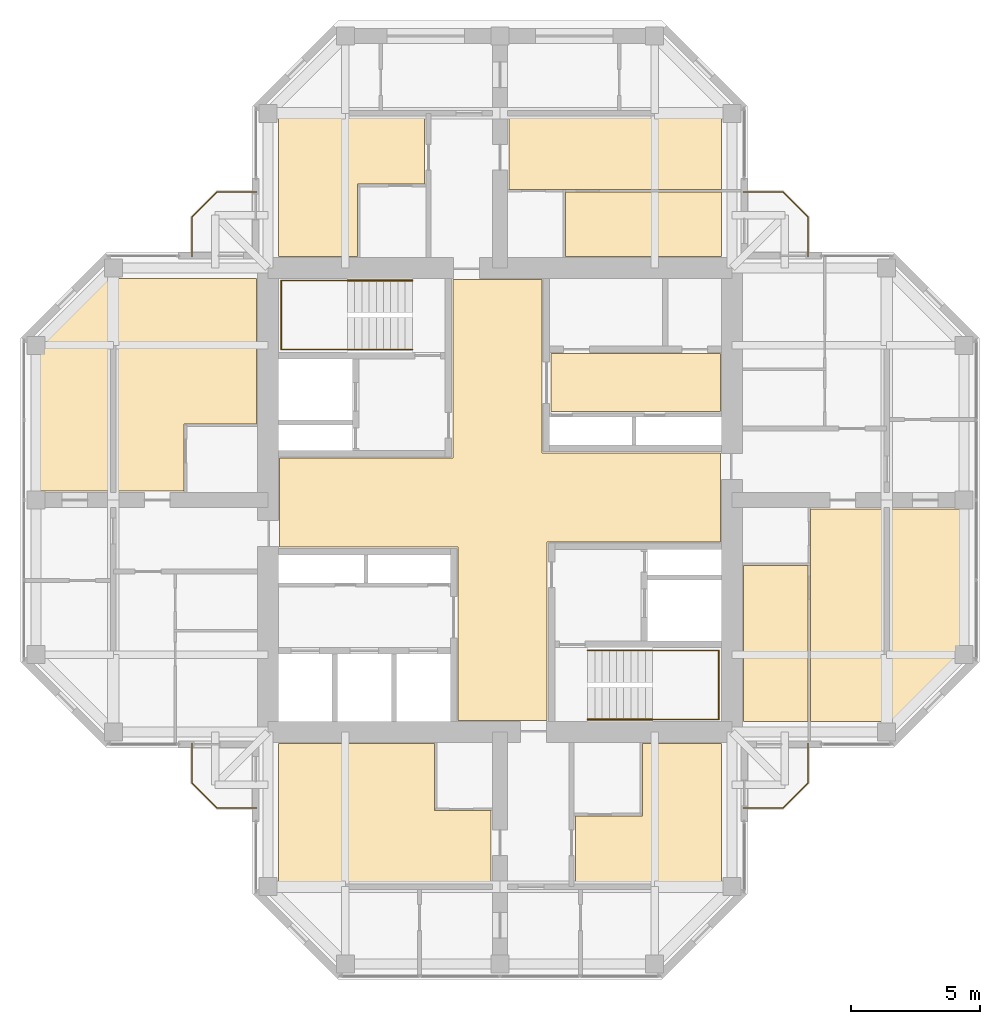
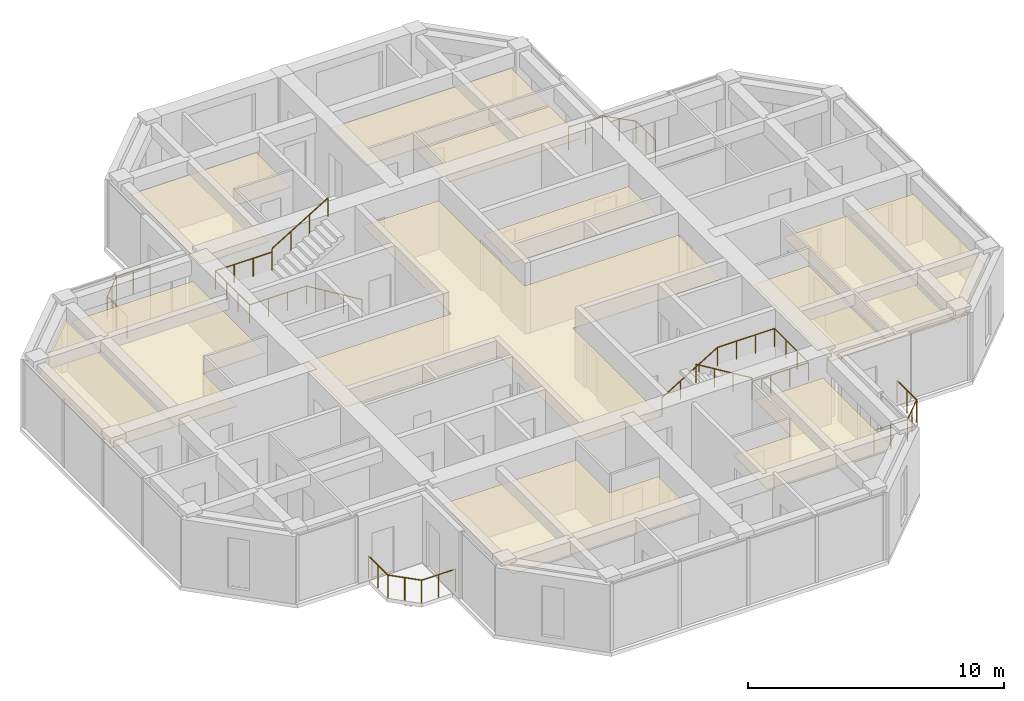
# One storey, part 13 of 13: 12 coverings, 8 railings.
"""IFC4 building model written with IfcOpenShell, lengths in metres."""

from ifc_helpers import new_model, si_unit, direction, frame, origin, origin_2d, place, context, subcontext, project, spatial, polyline, circle, outline, extrude, material, layer, layer_set, constituent, constituent_set, type_object, element, save


model = new_model("IFC4")

# Units and contexts
model_context = context("Model", 3, precision=1e-05, world=origin(), true_north=direction((0.0, 1.0)))
body_context = subcontext(model_context, "Body", "Model", "MODEL_VIEW")
ifc_project = project(units=[si_unit("LENGTHUNIT", "METRE"), si_unit("AREAUNIT", "SQUARE_METRE"), si_unit("VOLUMEUNIT", "CUBIC_METRE"), si_unit("PLANEANGLEUNIT", "RADIAN"), si_unit("MASSUNIT", "GRAM", prefix="KILO")], contexts=[model_context])

# Site, building, storey
site_placement = place(None, origin())
site = spatial("IfcSite", under=ifc_project, at=site_placement, CompositionType="ELEMENT")
building_placement = place(site_placement, origin())
building = spatial("IfcBuilding", under=site, at=building_placement, Name="Torre Cruceta", CompositionType="ELEMENT")
storey_placement = place(building_placement, frame((0.0, 0.0, 278.10009765625)))
storey = spatial("IfcBuildingStorey", under=building, at=storey_placement, Name="L72", CompositionType="ELEMENT", Elevation=278.10009765625)

# Railings
ifc_material_1 = material(Name="Stainless steel 1.4401", Category="steel")
ifc_constituent_1 = constituent(ifc_material_1, Name="Frame")
ifc_material_2 = material(Name="Laminated safety glass", Category="glass")
ifc_constituent_2 = constituent(ifc_material_2, Name="Infill")
ifc_constituent_set = constituent_set(constituents=[ifc_constituent_1, ifc_constituent_2], Name="Stainless steel and laminated glass balustrade")
railing_type_1 = type_object("IfcRailingType", Name="BALCONY BALUSTRADE 1100", PredefinedType="BALUSTRADE", material=ifc_constituent_set)
railing_1_placement = place(storey_placement, frame((-9.449951171875, 11.949951171875, 0.0)))
element("IfcRailing", 1, at=railing_1_placement, inside=storey, type_object=railing_type_1, Name="BL1 balcony balustrade L72 N", PredefinedType="BALUSTRADE", context=body_context, shape_type="SweptSolid", body=[
    extrude(circle(Radius=0.02392578125, at=origin_2d()), frame((0.0, 0.0, 1.076171875), z_axis=(-1.0, 0.0, 0.0), x_axis=(0.0, -1.0, 0.0)), (0.0, 0.0, 1.0), 1.529296875),
    extrude(circle(Radius=0.02392578125, at=origin_2d()), frame((-1.529296875, 0.0, 1.076171875), z_axis=(-0.707106781187, -0.707106781187, 0.0), x_axis=(0.707106781187, -0.707106781187, 0.0)), (0.0, 0.0, 1.0), 1.372802734375),
    extrude(circle(Radius=0.02392578125, at=origin_2d()), frame((-2.5, -0.970703125, 1.076171875), z_axis=(0.0, -1.0, 0.0), x_axis=(1.0, 0.0, 0.0)), (0.0, 0.0, 1.0), 1.529296875),
    extrude(circle(Radius=0.02099609375, at=origin_2d()), origin(), (0.0, 0.0, 1.0), 1.052001953125),
    extrude(circle(Radius=0.02099609375, at=origin_2d()), frame((-0.7646484375, 0.0, 0.0)), (0.0, 0.0, 1.0), 1.052001953125),
    extrude(circle(Radius=0.02099609375, at=origin_2d()), frame((-1.529296875, 0.0, 0.0)), (0.0, 0.0, 1.0), 1.052001953125),
    extrude(circle(Radius=0.02099609375, at=origin_2d()), frame((-2.0146484375, -0.4853515625, 0.0)), (0.0, 0.0, 1.0), 1.052001953125),
    extrude(circle(Radius=0.02099609375, at=origin_2d()), frame((-2.5, -0.970703125, 0.0)), (0.0, 0.0, 1.0), 1.052001953125),
    extrude(circle(Radius=0.02099609375, at=origin_2d()), frame((-2.5, -1.7353515625, 0.0)), (0.0, 0.0, 1.0), 1.052001953125),
    extrude(circle(Radius=0.02099609375, at=origin_2d()), frame((-2.5, -2.5, 0.0)), (0.0, 0.0, 1.0), 1.052001953125),
])
railing_2_placement = place(storey_placement, frame((9.449951171875, 11.949951171875, 0.0)))
element("IfcRailing", 2, at=railing_2_placement, inside=storey, type_object=railing_type_1, Name="BL1 balcony balustrade L72 E", PredefinedType="BALUSTRADE", context=body_context, shape_type="SweptSolid", body=[
    extrude(circle(Radius=0.02392578125, at=origin_2d()), frame((0.0, 0.0, 1.076171875), z_axis=(1.0, 0.0, 0.0), x_axis=(0.0, 1.0, 0.0)), (0.0, 0.0, 1.0), 1.529296875),
    extrude(circle(Radius=0.02392578125, at=origin_2d()), frame((1.529296875, 0.0, 1.076171875), z_axis=(0.707106781187, -0.707106781187, 0.0), x_axis=(0.707106781187, 0.707106781187, 0.0)), (0.0, 0.0, 1.0), 1.372802734375),
    extrude(circle(Radius=0.02392578125, at=origin_2d()), frame((2.5, -0.970703125, 1.076171875), z_axis=(0.0, -1.0, 0.0), x_axis=(1.0, 0.0, 0.0)), (0.0, 0.0, 1.0), 1.529296875),
    extrude(circle(Radius=0.02099609375, at=origin_2d()), origin(), (0.0, 0.0, 1.0), 1.052001953125),
    extrude(circle(Radius=0.02099609375, at=origin_2d()), frame((0.7646484375, 0.0, 0.0)), (0.0, 0.0, 1.0), 1.052001953125),
    extrude(circle(Radius=0.02099609375, at=origin_2d()), frame((1.529296875, 0.0, 0.0)), (0.0, 0.0, 1.0), 1.052001953125),
    extrude(circle(Radius=0.02099609375, at=origin_2d()), frame((2.0146484375, -0.4853515625, 0.0)), (0.0, 0.0, 1.0), 1.052001953125),
    extrude(circle(Radius=0.02099609375, at=origin_2d()), frame((2.5, -0.970703125, 0.0)), (0.0, 0.0, 1.0), 1.052001953125),
    extrude(circle(Radius=0.02099609375, at=origin_2d()), frame((2.5, -1.7353515625, 0.0)), (0.0, 0.0, 1.0), 1.052001953125),
    extrude(circle(Radius=0.02099609375, at=origin_2d()), frame((2.5, -2.5, 0.0)), (0.0, 0.0, 1.0), 1.052001953125),
])
railing_3_placement = place(storey_placement, frame((9.449951171875, -11.949951171875, 0.0)))
element("IfcRailing", 3, at=railing_3_placement, inside=storey, type_object=railing_type_1, Name="BL1 balcony balustrade L72 S", PredefinedType="BALUSTRADE", context=body_context, shape_type="SweptSolid", body=[
    extrude(circle(Radius=0.02392578125, at=origin_2d()), frame((0.0, 0.0, 1.076171875), z_axis=(1.0, 0.0, 0.0), x_axis=(0.0, 1.0, 0.0)), (0.0, 0.0, 1.0), 1.529296875),
    extrude(circle(Radius=0.02392578125, at=origin_2d()), frame((1.529296875, 0.0, 1.076171875), z_axis=(0.707106781187, 0.707106781187, 0.0), x_axis=(-0.707106781187, 0.707106781187, 0.0)), (0.0, 0.0, 1.0), 1.372802734375),
    extrude(circle(Radius=0.02392578125, at=origin_2d()), frame((2.5, 0.970703125, 1.076171875), z_axis=(0.0, 1.0, 0.0), x_axis=(-1.0, 0.0, 0.0)), (0.0, 0.0, 1.0), 1.529296875),
    extrude(circle(Radius=0.02099609375, at=origin_2d()), origin(), (0.0, 0.0, 1.0), 1.052001953125),
    extrude(circle(Radius=0.02099609375, at=origin_2d()), frame((0.7646484375, 0.0, 0.0)), (0.0, 0.0, 1.0), 1.052001953125),
    extrude(circle(Radius=0.02099609375, at=origin_2d()), frame((1.529296875, 0.0, 0.0)), (0.0, 0.0, 1.0), 1.052001953125),
    extrude(circle(Radius=0.02099609375, at=origin_2d()), frame((2.0146484375, 0.4853515625, 0.0)), (0.0, 0.0, 1.0), 1.052001953125),
    extrude(circle(Radius=0.02099609375, at=origin_2d()), frame((2.5, 0.970703125, 0.0)), (0.0, 0.0, 1.0), 1.052001953125),
    extrude(circle(Radius=0.02099609375, at=origin_2d()), frame((2.5, 1.7353515625, 0.0)), (0.0, 0.0, 1.0), 1.052001953125),
    extrude(circle(Radius=0.02099609375, at=origin_2d()), frame((2.5, 2.5, 0.0)), (0.0, 0.0, 1.0), 1.052001953125),
])
railing_4_placement = place(storey_placement, frame((-9.449951171875, -11.949951171875, 0.0)))
element("IfcRailing", 4, at=railing_4_placement, inside=storey, type_object=railing_type_1, Name="BL1 balcony balustrade L72 W", PredefinedType="BALUSTRADE", context=body_context, shape_type="SweptSolid", body=[
    extrude(circle(Radius=0.02392578125, at=origin_2d()), frame((0.0, 0.0, 1.076171875), z_axis=(-1.0, 0.0, 0.0), x_axis=(0.0, -1.0, 0.0)), (0.0, 0.0, 1.0), 1.529296875),
    extrude(circle(Radius=0.02392578125, at=origin_2d()), frame((-1.529296875, 0.0, 1.076171875), z_axis=(-0.707106781187, 0.707106781187, 0.0), x_axis=(-0.707106781187, -0.707106781187, 0.0)), (0.0, 0.0, 1.0), 1.372802734375),
    extrude(circle(Radius=0.02392578125, at=origin_2d()), frame((-2.5, 0.970703125, 1.076171875), z_axis=(0.0, 1.0, 0.0), x_axis=(-1.0, 0.0, 0.0)), (0.0, 0.0, 1.0), 1.529296875),
    extrude(circle(Radius=0.02099609375, at=origin_2d()), origin(), (0.0, 0.0, 1.0), 1.052001953125),
    extrude(circle(Radius=0.02099609375, at=origin_2d()), frame((-0.7646484375, 0.0, 0.0)), (0.0, 0.0, 1.0), 1.052001953125),
    extrude(circle(Radius=0.02099609375, at=origin_2d()), frame((-1.529296875, 0.0, 0.0)), (0.0, 0.0, 1.0), 1.052001953125),
    extrude(circle(Radius=0.02099609375, at=origin_2d()), frame((-2.0146484375, 0.4853515625, 0.0)), (0.0, 0.0, 1.0), 1.052001953125),
    extrude(circle(Radius=0.02099609375, at=origin_2d()), frame((-2.5, 0.970703125, 0.0)), (0.0, 0.0, 1.0), 1.052001953125),
    extrude(circle(Radius=0.02099609375, at=origin_2d()), frame((-2.5, 1.7353515625, 0.0)), (0.0, 0.0, 1.0), 1.052001953125),
    extrude(circle(Radius=0.02099609375, at=origin_2d()), frame((-2.5, 2.5, 0.0)), (0.0, 0.0, 1.0), 1.052001953125),
])
ifc_material_3 = material(Name="Stainless steel 1.4401", Category="steel")
railing_type_2 = type_object("IfcRailingType", Name="HANDRAIL 900", PredefinedType="HANDRAIL", material=ifc_material_3)
railing_5_placement = place(storey_placement, frame((-3.39990234375, 5.8349609375, 0.169921875)))
element("IfcRailing", 5, at=railing_5_placement, inside=storey, type_object=railing_type_2, Name="Handrail HR1 ST1 L72", PredefinedType="HANDRAIL", context=body_context, shape_type="SweptSolid", body=[
    extrude(circle(Radius=0.02392578125, at=origin_2d()), frame((0.0, 0.0, 0.8759765625), z_axis=(-0.85478489116, 0.0, 0.518982456201), x_axis=(0.0, -1.0, 0.0)), (0.0, 0.0, 1.0), 2.9482421875),
    extrude(circle(Radius=0.02392578125, at=origin_2d()), frame((-2.52001953125, 0.0, 2.40576171875), z_axis=(-1.0, 0.0, 0.0), x_axis=(0.0, -1.0, 0.0)), (0.0, 0.0, 1.0), 2.570068359375),
    extrude(circle(Radius=0.02392578125, at=origin_2d()), frame((-5.090087890625, 0.0, 2.40576171875), z_axis=(0.0, 1.0, 0.0), x_axis=(-1.0, 0.0, 0.0)), (0.0, 0.0, 1.0), 2.679931640625),
    extrude(circle(Radius=0.02392578125, at=origin_2d()), frame((-5.090087890625, 2.679931640625, 2.40576171875), z_axis=(1.0, 0.0, 0.0), x_axis=(0.0, 1.0, 0.0)), (0.0, 0.0, 1.0), 2.570068359375),
    extrude(circle(Radius=0.02099609375, at=origin_2d()), origin(), (0.0, 0.0, 1.0), 0.851806640625),
    extrude(circle(Radius=0.02099609375, at=origin_2d()), frame((-0.840087890625, 0.0, 0.510009765625)), (0.0, 0.0, 1.0), 0.851806640625),
    extrude(circle(Radius=0.02099609375, at=origin_2d()), frame((-1.679931640625, 0.0, 1.02001953125)), (0.0, 0.0, 1.0), 0.851806640625),
    extrude(circle(Radius=0.02099609375, at=origin_2d()), frame((-2.52001953125, 0.0, 1.530029296875)), (0.0, 0.0, 1.0), 0.851806640625),
    extrude(circle(Radius=0.02099609375, at=origin_2d()), frame((-3.376708984375, 0.0, 1.530029296875)), (0.0, 0.0, 1.0), 0.851806640625),
    extrude(circle(Radius=0.02099609375, at=origin_2d()), frame((-4.2333984375, 0.0, 1.530029296875)), (0.0, 0.0, 1.0), 0.851806640625),
    extrude(circle(Radius=0.02099609375, at=origin_2d()), frame((-5.090087890625, 0.0, 1.530029296875)), (0.0, 0.0, 1.0), 0.851806640625),
    extrude(circle(Radius=0.02099609375, at=origin_2d()), frame((-5.090087890625, 0.893310546875, 1.530029296875)), (0.0, 0.0, 1.0), 0.851806640625),
    extrude(circle(Radius=0.02099609375, at=origin_2d()), frame((-5.090087890625, 1.78662109375, 1.530029296875)), (0.0, 0.0, 1.0), 0.851806640625),
    extrude(circle(Radius=0.02099609375, at=origin_2d()), frame((-5.090087890625, 2.679931640625, 1.530029296875)), (0.0, 0.0, 1.0), 0.851806640625),
    extrude(circle(Radius=0.02099609375, at=origin_2d()), frame((-4.2333984375, 2.679931640625, 1.530029296875)), (0.0, 0.0, 1.0), 0.851806640625),
    extrude(circle(Radius=0.02099609375, at=origin_2d()), frame((-3.376708984375, 2.679931640625, 1.530029296875)), (0.0, 0.0, 1.0), 0.851806640625),
    extrude(circle(Radius=0.02099609375, at=origin_2d()), frame((-2.52001953125, 2.679931640625, 1.530029296875)), (0.0, 0.0, 1.0), 0.851806640625),
])
railing_6_placement = place(storey_placement, frame((-5.919921875, 8.514892578125, 1.869873046875)))
element("IfcRailing", 6, at=railing_6_placement, inside=storey, type_object=railing_type_2, Name="Handrail HR1 ST1 L72", PredefinedType="HANDRAIL", context=body_context, shape_type="SweptSolid", body=[
    extrude(circle(Radius=0.02392578125, at=origin_2d()), frame((0.0, 0.0, 0.8759765625), z_axis=(0.85478489116, 0.0, 0.518982456201), x_axis=(0.0, 1.0, 0.0)), (0.0, 0.0, 1.0), 2.9482421875),
    extrude(circle(Radius=0.02099609375, at=origin_2d()), origin(), (0.0, 0.0, 1.0), 0.851806640625),
    extrude(circle(Radius=0.02099609375, at=origin_2d()), frame((0.840087890625, 0.0, 0.510009765625)), (0.0, 0.0, 1.0), 0.851806640625),
    extrude(circle(Radius=0.02099609375, at=origin_2d()), frame((1.679931640625, 0.0, 1.02001953125)), (0.0, 0.0, 1.0), 0.851806640625),
    extrude(circle(Radius=0.02099609375, at=origin_2d()), frame((2.52001953125, 0.0, 1.530029296875)), (0.0, 0.0, 1.0), 0.851806640625),
])
railing_7_placement = place(storey_placement, frame((3.39990234375, -5.8349609375, 0.169921875)))
element("IfcRailing", 7, at=railing_7_placement, inside=storey, type_object=railing_type_2, Name="Handrail HR1 ST2 L72", PredefinedType="HANDRAIL", context=body_context, shape_type="SweptSolid", body=[
    extrude(circle(Radius=0.02392578125, at=origin_2d()), frame((0.0, 0.0, 0.8759765625), z_axis=(0.85478489116, 0.0, 0.518982456201), x_axis=(0.0, 1.0, 0.0)), (0.0, 0.0, 1.0), 2.9482421875),
    extrude(circle(Radius=0.02392578125, at=origin_2d()), frame((2.52001953125, 0.0, 2.40576171875), z_axis=(1.0, 0.0, 0.0), x_axis=(0.0, 1.0, 0.0)), (0.0, 0.0, 1.0), 2.570068359375),
    extrude(circle(Radius=0.02392578125, at=origin_2d()), frame((5.090087890625, 0.0, 2.40576171875), z_axis=(0.0, -1.0, 0.0), x_axis=(1.0, 0.0, 0.0)), (0.0, 0.0, 1.0), 2.679931640625),
    extrude(circle(Radius=0.02392578125, at=origin_2d()), frame((5.090087890625, -2.679931640625, 2.40576171875), z_axis=(-1.0, 0.0, 0.0), x_axis=(0.0, -1.0, 0.0)), (0.0, 0.0, 1.0), 2.570068359375),
    extrude(circle(Radius=0.02099609375, at=origin_2d()), origin(), (0.0, 0.0, 1.0), 0.851806640625),
    extrude(circle(Radius=0.02099609375, at=origin_2d()), frame((0.840087890625, 0.0, 0.510009765625)), (0.0, 0.0, 1.0), 0.851806640625),
    extrude(circle(Radius=0.02099609375, at=origin_2d()), frame((1.679931640625, 0.0, 1.02001953125)), (0.0, 0.0, 1.0), 0.851806640625),
    extrude(circle(Radius=0.02099609375, at=origin_2d()), frame((2.52001953125, 0.0, 1.530029296875)), (0.0, 0.0, 1.0), 0.851806640625),
    extrude(circle(Radius=0.02099609375, at=origin_2d()), frame((3.376708984375, 0.0, 1.530029296875)), (0.0, 0.0, 1.0), 0.851806640625),
    extrude(circle(Radius=0.02099609375, at=origin_2d()), frame((4.2333984375, 0.0, 1.530029296875)), (0.0, 0.0, 1.0), 0.851806640625),
    extrude(circle(Radius=0.02099609375, at=origin_2d()), frame((5.090087890625, 0.0, 1.530029296875)), (0.0, 0.0, 1.0), 0.851806640625),
    extrude(circle(Radius=0.02099609375, at=origin_2d()), frame((5.090087890625, -0.893310546875, 1.530029296875)), (0.0, 0.0, 1.0), 0.851806640625),
    extrude(circle(Radius=0.02099609375, at=origin_2d()), frame((5.090087890625, -1.78662109375, 1.530029296875)), (0.0, 0.0, 1.0), 0.851806640625),
    extrude(circle(Radius=0.02099609375, at=origin_2d()), frame((5.090087890625, -2.679931640625, 1.530029296875)), (0.0, 0.0, 1.0), 0.851806640625),
    extrude(circle(Radius=0.02099609375, at=origin_2d()), frame((4.2333984375, -2.679931640625, 1.530029296875)), (0.0, 0.0, 1.0), 0.851806640625),
    extrude(circle(Radius=0.02099609375, at=origin_2d()), frame((3.376708984375, -2.679931640625, 1.530029296875)), (0.0, 0.0, 1.0), 0.851806640625),
    extrude(circle(Radius=0.02099609375, at=origin_2d()), frame((2.52001953125, -2.679931640625, 1.530029296875)), (0.0, 0.0, 1.0), 0.851806640625),
])
railing_8_placement = place(storey_placement, frame((5.919921875, -8.514892578125, 1.869873046875)))
element("IfcRailing", 8, at=railing_8_placement, inside=storey, type_object=railing_type_2, Name="Handrail HR1 ST2 L72", PredefinedType="HANDRAIL", context=body_context, shape_type="SweptSolid", body=[
    extrude(circle(Radius=0.02392578125, at=origin_2d()), frame((0.0, 0.0, 0.8759765625), z_axis=(-0.85478489116, 0.0, 0.518982456201), x_axis=(0.0, -1.0, 0.0)), (0.0, 0.0, 1.0), 2.9482421875),
    extrude(circle(Radius=0.02099609375, at=origin_2d()), origin(), (0.0, 0.0, 1.0), 0.851806640625),
    extrude(circle(Radius=0.02099609375, at=origin_2d()), frame((-0.840087890625, 0.0, 0.510009765625)), (0.0, 0.0, 1.0), 0.851806640625),
    extrude(circle(Radius=0.02099609375, at=origin_2d()), frame((-1.679931640625, 0.0, 1.02001953125)), (0.0, 0.0, 1.0), 0.851806640625),
    extrude(circle(Radius=0.02099609375, at=origin_2d()), frame((-2.52001953125, 0.0, 1.530029296875)), (0.0, 0.0, 1.0), 0.851806640625),
])

# Coverings
ifc_material_4 = material(Name="Mineral fibre ceiling tile", Category="gypsum")
ifc_layer = layer(ifc_material_4, 0.02001953125)
ifc_layer_set = layer_set([ifc_layer], Name="Mineral fibre ceiling tile")
covering_type = type_object("IfcCoveringType", Name="SUSPENDED CEILING 20", PredefinedType="CEILING", material=ifc_layer_set)
covering_1_placement = place(storey_placement, frame((0.0, 0.0, 2.349853515625)))
element("IfcCovering", 9, at=covering_1_placement, inside=storey, type_object=covering_type, Name="Ceiling L72-003", PredefinedType="CEILING", context=body_context, shape_type="SweptSolid", body=[
    extrude(outline(polyline([(-1.625, -8.550048828125), (-1.625, -1.824951171875), (-8.550048828125, -1.824951171875), (-8.550048828125, 1.625), (-1.824951171875, 1.625), (-1.824951171875, 8.550048828125), (1.625, 8.550048828125), (1.625, 1.824951171875), (8.550048828125, 1.824951171875), (8.550048828125, -1.625), (1.824951171875, -1.625), (1.824951171875, -8.550048828125), (-1.625, -8.550048828125)])), origin(), (0.0, 0.0, 1.0), 0.02001953125),
])
covering_2_placement = place(storey_placement, frame((0.0, 0.0, 2.349853515625)))
element("IfcCovering", 10, at=covering_2_placement, inside=storey, type_object=covering_type, Name="Ceiling L72-004", PredefinedType="CEILING", context=body_context, shape_type="SweptSolid", body=[
    extrude(outline(polyline([(1.97509765625, 3.425048828125), (1.97509765625, 5.675048828125), (8.550048828125, 5.675048828125), (8.550048828125, 3.425048828125), (1.97509765625, 3.425048828125)])), origin(), (0.0, 0.0, 1.0), 0.02001953125),
])
covering_3_placement = place(storey_placement, frame((0.0, 0.0, 2.349853515625)))
element("IfcCovering", 11, at=covering_3_placement, inside=storey, type_object=covering_type, Name="Ceiling L72-022", PredefinedType="CEILING", context=body_context, shape_type="SweptSolid", body=[
    extrude(outline(polyline([(-8.60009765625, 9.449951171875), (-8.60009765625, 14.949951171875), (-2.925048828125, 14.949951171875), (-2.925048828125, 12.25), (-5.52490234375, 12.25), (-5.52490234375, 9.449951171875), (-8.60009765625, 9.449951171875)])), origin(), (0.0, 0.0, 1.0), 0.02001953125),
])
covering_4_placement = place(storey_placement, frame((0.0, 0.0, 2.349853515625)))
element("IfcCovering", 12, at=covering_4_placement, inside=storey, type_object=covering_type, Name="Ceiling L72-024", PredefinedType="CEILING", context=body_context, shape_type="SweptSolid", body=[
    extrude(outline(polyline([(8.60009765625, 14.949951171875), (8.60009765625, 12.050048828125), (0.35009765625, 12.050048828125), (0.35009765625, 14.949951171875), (8.60009765625, 14.949951171875)])), origin(), (0.0, 0.0, 1.0), 0.02001953125),
])
covering_5_placement = place(storey_placement, frame((0.0, 0.0, 2.349853515625)))
element("IfcCovering", 13, at=covering_5_placement, inside=storey, type_object=covering_type, Name="Ceiling L72-025", PredefinedType="CEILING", context=body_context, shape_type="SweptSolid", body=[
    extrude(outline(polyline([(8.60009765625, 9.449951171875), (2.550048828125, 9.449951171875), (2.550048828125, 11.949951171875), (8.60009765625, 11.949951171875), (8.60009765625, 9.449951171875)])), origin(), (0.0, 0.0, 1.0), 0.02001953125),
])
covering_6_placement = place(storey_placement, frame((0.0, 0.0, 2.349853515625)))
element("IfcCovering", 14, at=covering_6_placement, inside=storey, type_object=covering_type, Name="Ceiling L72-035", PredefinedType="CEILING", context=body_context, shape_type="SweptSolid", body=[
    extrude(outline(polyline([(14.949951171875, -8.60009765625), (12.050048828125, -8.60009765625), (12.050048828125, -0.35009765625), (14.949951171875, -0.35009765625), (14.949951171875, -8.60009765625)])), origin(), (0.0, 0.0, 1.0), 0.02001953125),
])
covering_7_placement = place(storey_placement, frame((0.0, 0.0, 2.349853515625)))
element("IfcCovering", 15, at=covering_7_placement, inside=storey, type_object=covering_type, Name="Ceiling L72-036", PredefinedType="CEILING", context=body_context, shape_type="SweptSolid", body=[
    extrude(outline(polyline([(9.449951171875, -8.60009765625), (9.449951171875, -2.550048828125), (11.949951171875, -2.550048828125), (11.949951171875, -8.60009765625), (9.449951171875, -8.60009765625)])), origin(), (0.0, 0.0, 1.0), 0.02001953125),
])
covering_8_placement = place(storey_placement, frame((0.0, 0.0, 2.349853515625)))
element("IfcCovering", 16, at=covering_8_placement, inside=storey, type_object=covering_type, Name="Ceiling L72-040", PredefinedType="CEILING", context=body_context, shape_type="SweptSolid", body=[
    extrude(outline(polyline([(15.050048828125, -8.87939453125), (15.050048828125, -0.35009765625), (17.949951171875, -0.35009765625), (17.949951171875, -5.979248046875), (15.050048828125, -8.87939453125)])), origin(), (0.0, 0.0, 1.0), 0.02001953125),
])
covering_9_placement = place(storey_placement, frame((0.0, 0.0, 2.349853515625)))
element("IfcCovering", 17, at=covering_9_placement, inside=storey, type_object=covering_type, Name="Ceiling L72-042", PredefinedType="CEILING", context=body_context, shape_type="SweptSolid", body=[
    extrude(outline(polyline([(8.60009765625, -9.449951171875), (8.60009765625, -14.949951171875), (2.925048828125, -14.949951171875), (2.925048828125, -12.25), (5.52490234375, -12.25), (5.52490234375, -9.449951171875), (8.60009765625, -9.449951171875)])), origin(), (0.0, 0.0, 1.0), 0.02001953125),
])
covering_10_placement = place(storey_placement, frame((0.0, 0.0, 2.349853515625)))
element("IfcCovering", 18, at=covering_10_placement, inside=storey, type_object=covering_type, Name="Ceiling L72-044", PredefinedType="CEILING", context=body_context, shape_type="SweptSolid", body=[
    extrude(outline(polyline([(-0.35009765625, -14.949951171875), (-8.60009765625, -14.949951171875), (-8.60009765625, -9.449951171875), (-2.550048828125, -9.449951171875), (-2.550048828125, -12.050048828125), (-0.35009765625, -12.050048828125), (-0.35009765625, -14.949951171875)])), origin(), (0.0, 0.0, 1.0), 0.02001953125),
])
covering_11_placement = place(storey_placement, frame((0.0, 0.0, 2.349853515625)))
element("IfcCovering", 19, at=covering_11_placement, inside=storey, type_object=covering_type, Name="Ceiling L72-054", PredefinedType="CEILING", context=body_context, shape_type="SweptSolid", body=[
    extrude(outline(polyline([(-14.949951171875, 0.35009765625), (-14.949951171875, 8.60009765625), (-9.449951171875, 8.60009765625), (-9.449951171875, 2.949951171875), (-12.25, 2.949951171875), (-12.25, 0.35009765625), (-14.949951171875, 0.35009765625)])), origin(), (0.0, 0.0, 1.0), 0.02001953125),
])
covering_12_placement = place(storey_placement, frame((0.0, 0.0, 2.349853515625)))
element("IfcCovering", 20, at=covering_12_placement, inside=storey, type_object=covering_type, Name="Ceiling L72-058", PredefinedType="CEILING", context=body_context, shape_type="SweptSolid", body=[
    extrude(outline(polyline([(-15.050048828125, 8.87939453125), (-15.050048828125, 0.35009765625), (-17.949951171875, 0.35009765625), (-17.949951171875, 5.979248046875), (-15.050048828125, 8.87939453125)])), origin(), (0.0, 0.0, 1.0), 0.02001953125),
])

save(model, "model.ifc")
